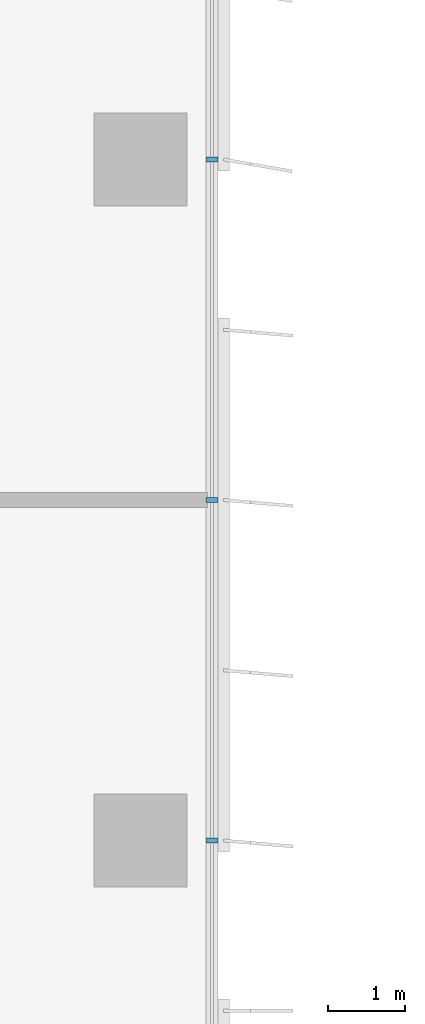
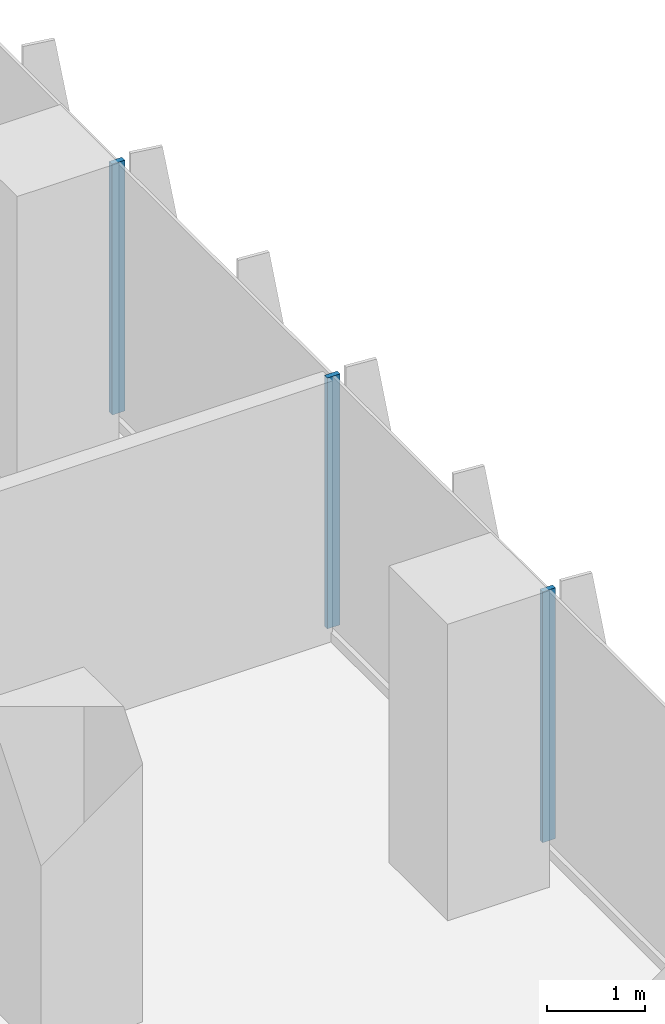
# One storey, part 7 of 22: 3 members, 1 element without a shape of its own.
"""IFC4 building model written with IfcOpenShell, lengths in metres."""

from ifc_helpers import new_model, si_unit, direction, frame, origin, origin_2d, place, context, subcontext, project, spatial, rectangle, extrude, source, transform, mapped, material, material_profile, profile_set, type_object, element, aggregate, save


model = new_model("IFC4")

# Units and contexts
model_context = context("Model", 3, precision=1e-05, world=origin(), true_north=direction((0.0, 1.0)))
body_context = subcontext(model_context, "Body", "Model", "MODEL_VIEW")
ifc_project = project(units=[si_unit("LENGTHUNIT", "METRE"), si_unit("AREAUNIT", "SQUARE_METRE"), si_unit("VOLUMEUNIT", "CUBIC_METRE"), si_unit("PLANEANGLEUNIT", "RADIAN"), si_unit("MASSUNIT", "GRAM", prefix="KILO")], contexts=[model_context])

# Site, building, storey
site_placement = place(None, origin())
site = spatial("IfcSite", under=ifc_project, at=site_placement, CompositionType="ELEMENT")
building_placement = place(site_placement, origin())
building = spatial("IfcBuilding", under=site, at=building_placement, Name="Kemantara Hotel Tower", CompositionType="ELEMENT")
storey_placement = place(building_placement, frame((0.0, 0.0, 149.39990234375)))
storey = spatial("IfcBuildingStorey", under=building, at=storey_placement, Name="L36", CompositionType="ELEMENT", Elevation=149.39990234375)

# Curtain wall, members
ifc_material_1 = material(Name="Low-E tinted double insulated glass 36 mm", Category="glass")
curtain_wall_type = type_object("IfcCurtainWallType", Name="TOWER CURTAIN WALL, FRONT FACES", PredefinedType="USERDEFINED", material=ifc_material_1)
curtain_wall_placement = place(storey_placement, origin())
curtain_wall = element("IfcCurtainWall", 1, at=curtain_wall_placement, inside=storey, type_object=curtain_wall_type, Name="CW4 L36 T2-R14-1", ObjectType="TOWER CURTAIN WALL, FRONT FACES", PredefinedType="USERDEFINED")
ifc_material_2 = material(Name="Aluminium 6063-T6 bronze anodised", Category="aluminium")
ifc_material_profile = material_profile(ifc_material_2, rectangle(XDim=0.14990234375, YDim=0.06005859375, at=origin_2d()), Name="TOWER CURTAIN WALL, FRONT FACES MULLION")
ifc_profile_set = profile_set([ifc_material_profile], Name="Aluminium 6063-T6 bronze anodised")
member_type = type_object("IfcMemberType", Name="TOWER CURTAIN WALL, FRONT FACES MULLION", PredefinedType="MULLION", material=ifc_profile_set)
shared_shape = source(origin(), body_context, "Body", "SweptSolid", [
    extrude(rectangle(XDim=0.14990234375, YDim=0.06005859375, at=origin_2d()), origin(), (0.0, 0.0, 1.0), 3.1298828125),
])
member_1_placement = place(storey_placement, frame((26.72509765625, 53.800048828125, 0.1201171875), z_axis=(0.0, 0.0, 1.0), x_axis=(-1.0, 0.0, 0.0)))
member_1 = element("IfcMember", 2, at=member_1_placement, type_object=member_type, Name="CW4 mullion T2-R14-1.9", PredefinedType="MULLION", context=body_context, shape_type="MappedRepresentation", body=[
    mapped(shared_shape, transform((0.0, 0.0, 0.0))),
])
member_2_placement = place(storey_placement, frame((26.72509765625, 58.199951171875, 0.1201171875), z_axis=(0.0, 0.0, 1.0), x_axis=(-1.0, 0.0, 0.0)))
member_2 = element("IfcMember", 3, at=member_2_placement, type_object=member_type, Name="CW4 mullion T2-R14-1.10", PredefinedType="MULLION", context=body_context, shape_type="MappedRepresentation", body=[
    mapped(shared_shape, transform((0.0, 0.0, 0.0))),
])
member_3_placement = place(storey_placement, frame((26.72509765625, 62.60009765625, 0.1201171875), z_axis=(0.0, 0.0, 1.0), x_axis=(-1.0, 0.0, 0.0)))
member_3 = element("IfcMember", 4, at=member_3_placement, type_object=member_type, Name="CW4 mullion T2-R14-1.11", PredefinedType="MULLION", context=body_context, shape_type="MappedRepresentation", body=[
    mapped(shared_shape, transform((0.0, 0.0, 0.0))),
])
aggregate(curtain_wall, [member_1, member_2, member_3])

save(model, "model.ifc")
